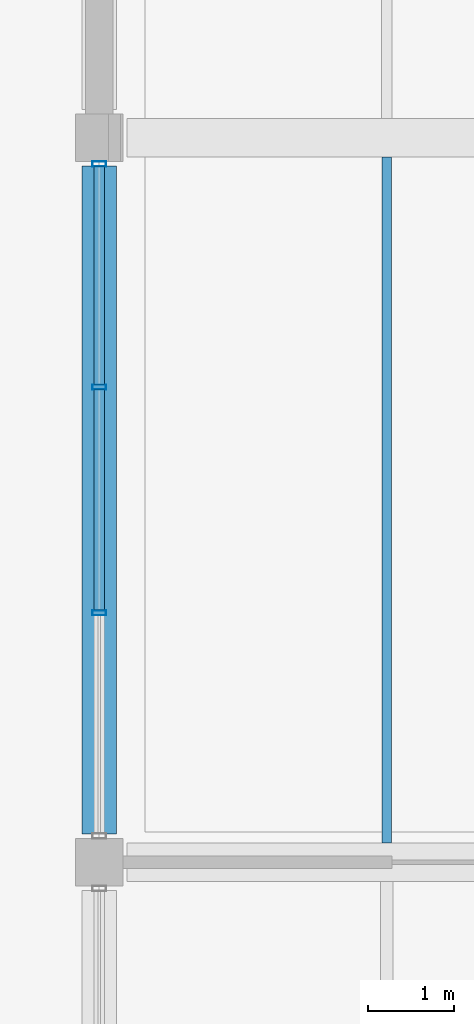
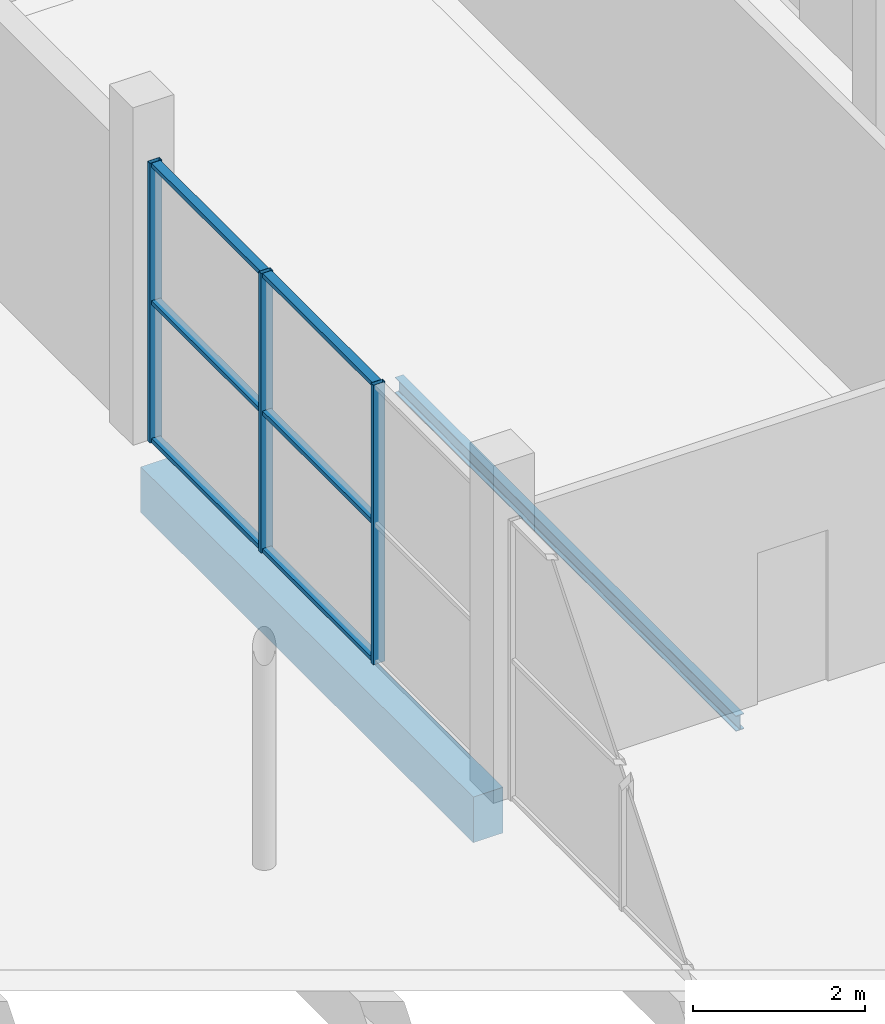
# One storey, part 75 of 130: 9 members, 2 beams, 1 element without a shape of its own.
"""IFC4 building model written with IfcOpenShell, lengths in metres."""

from ifc_helpers import new_model, si_unit, direction, frame, origin, origin_2d, place, context, subcontext, project, spatial, rectangle, hollow_rectangle, i_section, extrude, material, material_profile, profile_set, type_object, element, aggregate, save


model = new_model("IFC4")

# Units and contexts
model_context = context("Model", 3, precision=1e-05, world=origin(), true_north=direction((0.0, 1.0)))
body_context = subcontext(model_context, "Body", "Model", "MODEL_VIEW")
ifc_project = project(units=[si_unit("LENGTHUNIT", "METRE"), si_unit("AREAUNIT", "SQUARE_METRE"), si_unit("VOLUMEUNIT", "CUBIC_METRE"), si_unit("PLANEANGLEUNIT", "RADIAN"), si_unit("MASSUNIT", "GRAM", prefix="KILO"), si_unit("THERMODYNAMICTEMPERATUREUNIT", "KELVIN")], contexts=[model_context])

# Site, building, storey
site_placement = place(None, origin())
site = spatial("IfcSite", under=ifc_project, at=site_placement, CompositionType="ELEMENT")
building_placement = place(site_placement, origin())
building = spatial("IfcBuilding", under=site, at=building_placement, Name="Nduvali Passage Aquatics Centre", CompositionType="ELEMENT")
storey_placement = place(building_placement, origin())
storey = spatial("IfcBuildingStorey", under=building, at=storey_placement, Name="L00", CompositionType="ELEMENT", Elevation=0.0)

# Curtain wall, members
ifc_material_1 = material(Name="Aluminium EN AW-6063 T6", Category="aluminium")
curtain_wall_type = type_object("IfcCurtainWallType", Name="ENV-CW-FOYR", PredefinedType="NOTDEFINED", material=ifc_material_1)
curtain_wall_placement = place(storey_placement, origin())
curtain_wall = element("IfcCurtainWall", 1, at=curtain_wall_placement, inside=storey, type_object=curtain_wall_type, Name="L00 Passage Foyer Ground CW 077", PredefinedType="NOTDEFINED")
ifc_material_profile_1 = material_profile(ifc_material_1, hollow_rectangle(XDim=0.06005859375, YDim=0.159912109375, WallThickness=0.00390625, at=origin_2d()), Name="ALU MULLION 60x160x4")
ifc_profile_set_1 = profile_set([ifc_material_profile_1], Name="Aluminium EN AW-6063 T6")
member_type_1 = type_object("IfcMemberType", Name="ENV-MEM-MUL60", PredefinedType="MULLION", material=ifc_profile_set_1)
member_1_placement = place(storey_placement, frame((138.0, 78.49169921875, 0.0), z_axis=(0.0, 0.0, 1.0), x_axis=(0.0, 1.0, 0.0)))
member_1 = element("IfcMember", 2, at=member_1_placement, type_object=member_type_1, Name="Passage Foyer Ground CW Mullion 2", PredefinedType="MULLION", context=body_context, shape_type="SweptSolid", body=[
    extrude(hollow_rectangle(XDim=0.06005859375, YDim=0.159912109375, WallThickness=0.00390625, at=origin_2d()), origin(), (0.0, 0.0, 1.0), 3.976318359375),
])
member_2_placement = place(storey_placement, frame((138.0, 81.1083984375, 0.0), z_axis=(0.0, 0.0, 1.0), x_axis=(0.0, 1.0, 0.0)))
member_2 = element("IfcMember", 3, at=member_2_placement, type_object=member_type_1, Name="Passage Foyer Ground CW Mullion 3", PredefinedType="MULLION", context=body_context, shape_type="SweptSolid", body=[
    extrude(hollow_rectangle(XDim=0.06005859375, YDim=0.159912109375, WallThickness=0.00390625, at=origin_2d()), origin(), (0.0, 0.0, 1.0), 3.976318359375),
])
member_3_placement = place(storey_placement, frame((138.0, 83.695068359375, 0.0), z_axis=(0.0, 0.0, 1.0), x_axis=(0.0, 1.0, 0.0)))
member_3 = element("IfcMember", 4, at=member_3_placement, type_object=member_type_1, Name="Passage Foyer Ground CW Mullion 4", PredefinedType="MULLION", context=body_context, shape_type="SweptSolid", body=[
    extrude(hollow_rectangle(XDim=0.06005859375, YDim=0.159912109375, WallThickness=0.00390625, at=origin_2d()), origin(), (0.0, 0.0, 1.0), 3.976318359375),
])
ifc_material_profile_2 = material_profile(ifc_material_1, hollow_rectangle(XDim=0.1201171875, YDim=0.06005859375, WallThickness=0.00390625, at=origin_2d()), Name="ALU TRANSOM 120x60x4")
ifc_profile_set_2 = profile_set([ifc_material_profile_2], Name="Aluminium EN AW-6063 T6")
member_type_2 = type_object("IfcMemberType", Name="ENV-MEM-TRN60", PredefinedType="USERDEFINED", material=ifc_profile_set_2)
member_4_placement = place(storey_placement, frame((138.0, 78.521728515625, 0.030029296875), z_axis=(0.0, 1.0, 0.0), x_axis=(-1.0, 0.0, 0.0)))
member_4 = element("IfcMember", 5, at=member_4_placement, type_object=member_type_2, Name="Passage Foyer Ground CW Transom B2-R0", ObjectType="TRANSOM", PredefinedType="USERDEFINED", context=body_context, shape_type="SweptSolid", body=[
    extrude(hollow_rectangle(XDim=0.1201171875, YDim=0.06005859375, WallThickness=0.00390625, at=origin_2d()), origin(), (0.0, 0.0, 1.0), 2.556640625),
])
member_5_placement = place(storey_placement, frame((138.0, 78.521728515625, 1.98828125), z_axis=(0.0, 1.0, 0.0), x_axis=(-1.0, 0.0, 0.0)))
member_5 = element("IfcMember", 6, at=member_5_placement, type_object=member_type_2, Name="Passage Foyer Ground CW Transom B2-R1", ObjectType="TRANSOM", PredefinedType="USERDEFINED", context=body_context, shape_type="SweptSolid", body=[
    extrude(hollow_rectangle(XDim=0.1201171875, YDim=0.06005859375, WallThickness=0.00390625, at=origin_2d()), origin(), (0.0, 0.0, 1.0), 2.556640625),
])
member_6_placement = place(storey_placement, frame((138.0, 78.521728515625, 3.9462890625), z_axis=(0.0, 1.0, 0.0), x_axis=(-1.0, 0.0, 0.0)))
member_6 = element("IfcMember", 7, at=member_6_placement, type_object=member_type_2, Name="Passage Foyer Ground CW Transom B2-R2", ObjectType="TRANSOM", PredefinedType="USERDEFINED", context=body_context, shape_type="SweptSolid", body=[
    extrude(hollow_rectangle(XDim=0.1201171875, YDim=0.06005859375, WallThickness=0.00390625, at=origin_2d()), origin(), (0.0, 0.0, 1.0), 2.556640625),
])
member_7_placement = place(storey_placement, frame((138.0, 81.13818359375, 0.030029296875), z_axis=(0.0, 1.0, 0.0), x_axis=(-1.0, 0.0, 0.0)))
member_7 = element("IfcMember", 8, at=member_7_placement, type_object=member_type_2, Name="Passage Foyer Ground CW Transom B3-R0", ObjectType="TRANSOM", PredefinedType="USERDEFINED", context=body_context, shape_type="SweptSolid", body=[
    extrude(hollow_rectangle(XDim=0.1201171875, YDim=0.06005859375, WallThickness=0.00390625, at=origin_2d()), origin(), (0.0, 0.0, 1.0), 2.52685546875),
])
member_8_placement = place(storey_placement, frame((138.0, 81.13818359375, 1.98828125), z_axis=(0.0, 1.0, 0.0), x_axis=(-1.0, 0.0, 0.0)))
member_8 = element("IfcMember", 9, at=member_8_placement, type_object=member_type_2, Name="Passage Foyer Ground CW Transom B3-R1", ObjectType="TRANSOM", PredefinedType="USERDEFINED", context=body_context, shape_type="SweptSolid", body=[
    extrude(hollow_rectangle(XDim=0.1201171875, YDim=0.06005859375, WallThickness=0.00390625, at=origin_2d()), origin(), (0.0, 0.0, 1.0), 2.52685546875),
])
member_9_placement = place(storey_placement, frame((138.0, 81.13818359375, 3.9462890625), z_axis=(0.0, 1.0, 0.0), x_axis=(-1.0, 0.0, 0.0)))
member_9 = element("IfcMember", 10, at=member_9_placement, type_object=member_type_2, Name="Passage Foyer Ground CW Transom B3-R2", ObjectType="TRANSOM", PredefinedType="USERDEFINED", context=body_context, shape_type="SweptSolid", body=[
    extrude(hollow_rectangle(XDim=0.1201171875, YDim=0.06005859375, WallThickness=0.00390625, at=origin_2d()), origin(), (0.0, 0.0, 1.0), 2.52685546875),
])
aggregate(curtain_wall, [member_1, member_2, member_3, member_4, member_5, member_6, member_7, member_8, member_9])

# Beams
ifc_material_2 = material(Name="Steel S355", Category="steel")
ifc_material_profile_3 = material_profile(ifc_material_2, i_section(OverallWidth=0.110107421875, OverallDepth=0.219970703125, WebThickness=0.005859375, FlangeThickness=0.00927734375, FilletRadius=0.011962890625, at=origin_2d()), Name="IPE 220")
ifc_profile_set_3 = profile_set([ifc_material_profile_3], Name="Steel S355")
beam_type_1 = type_object("IfcBeamType", Name="STR-JST-IPE220", PredefinedType="JOIST", material=ifc_profile_set_3)
beam_1_placement = place(storey_placement, frame((141.333251953125, 75.824951171875, -0.4140625), z_axis=(0.0, 1.0, 0.0), x_axis=(-1.0, 0.0, 0.0)))
element("IfcBeam", 11, at=beam_1_placement, inside=storey, type_object=beam_type_1, Name="L00 Secondary Joist J9-0373", PredefinedType="JOIST", context=body_context, shape_type="SweptSolid", body=[
    extrude(i_section(OverallWidth=0.110107421875, OverallDepth=0.219970703125, WebThickness=0.005859375, FlangeThickness=0.00927734375, FilletRadius=0.011962890625, at=origin_2d()), origin(), (0.0, 0.0, 1.0), 7.949951171875),
])
ifc_material_3 = material(Name="Concrete C40/50", Category="concrete")
ifc_material_profile_4 = material_profile(ifc_material_3, rectangle(XDim=0.39990234375, YDim=0.64990234375, at=origin_2d()), Name="RC 400x650")
ifc_profile_set_4 = profile_set([ifc_material_profile_4], Name="Concrete C40/50")
beam_type_2 = type_object("IfcBeamType", Name="STR-SPN-RC4065-EXT", PredefinedType="SPANDREL", material=ifc_profile_set_4)
beam_2_placement = place(storey_placement, frame((138.0, 75.925048828125, -0.625), z_axis=(0.0, 1.0, 0.0), x_axis=(-1.0, 0.0, 0.0)))
element("IfcBeam", 12, at=beam_2_placement, inside=storey, type_object=beam_type_2, Name="L00 Primary Y-Girder SP1E-0229", PredefinedType="SPANDREL", context=body_context, shape_type="SweptSolid", body=[
    extrude(rectangle(XDim=0.39990234375, YDim=0.64990234375, at=origin_2d()), origin(), (0.0, 0.0, 1.0), 7.75),
])

save(model, "model.ifc")
